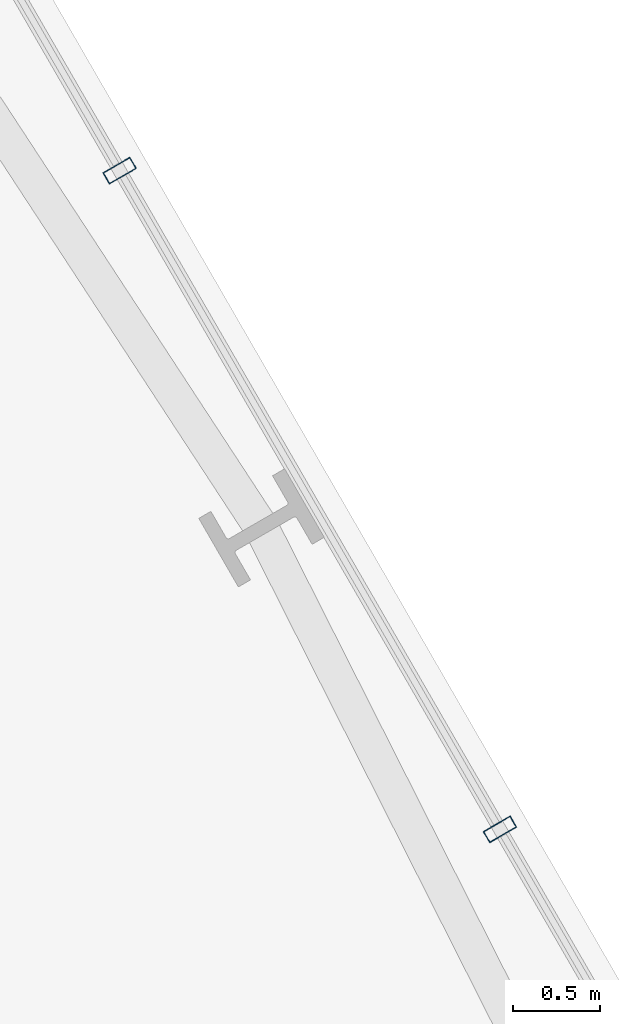
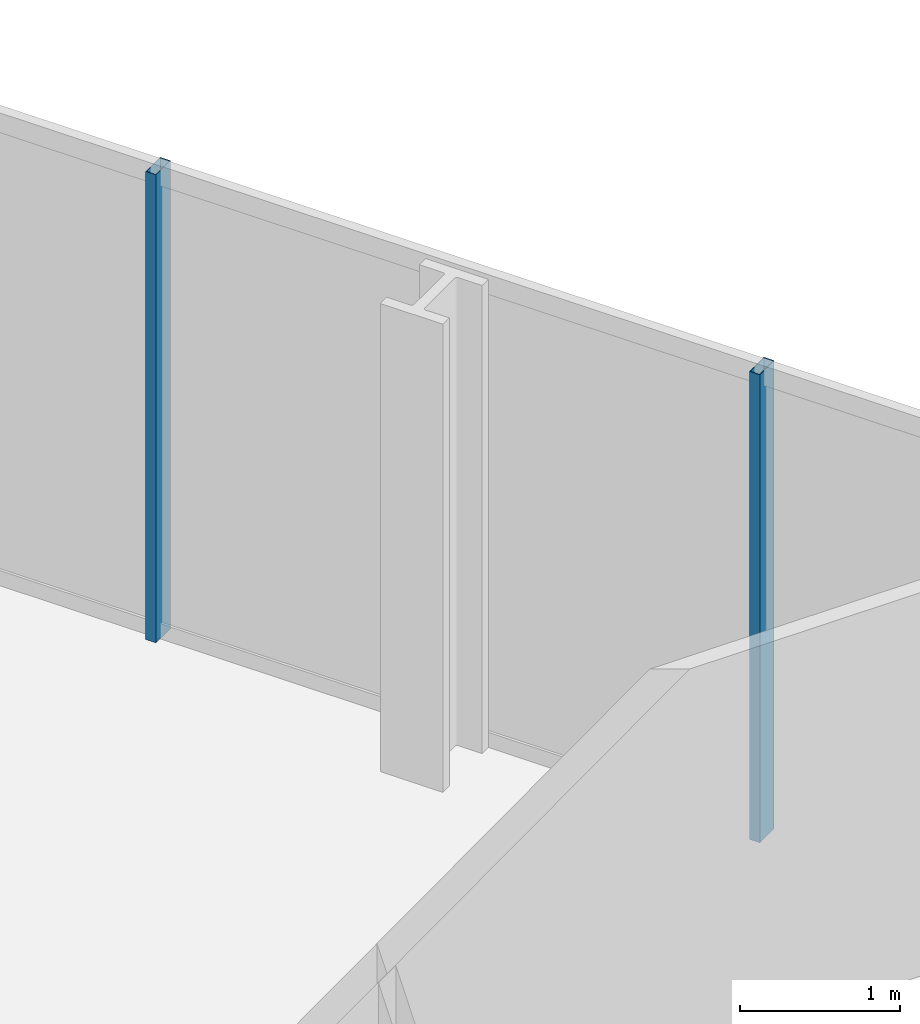
# One storey, part 19 of 33: 2 members, 1 element without a shape of its own.
"""IFC4 building model written with IfcOpenShell, lengths in metres."""

from ifc_helpers import new_model, si_unit, direction, frame, origin, origin_2d, place, context, subcontext, project, spatial, hollow_rectangle, extrude, material, layer, layer_set, material_profile, profile_set, type_object, element, aggregate, save


model = new_model("IFC4")

# Units and contexts
model_context = context("Model", 3, precision=1e-05, world=origin(), true_north=direction((0.0, 1.0)))
body_context = subcontext(model_context, "Body", "Model", "MODEL_VIEW")
ifc_project = project(units=[si_unit("LENGTHUNIT", "METRE"), si_unit("AREAUNIT", "SQUARE_METRE"), si_unit("VOLUMEUNIT", "CUBIC_METRE"), si_unit("PLANEANGLEUNIT", "RADIAN"), si_unit("MASSUNIT", "GRAM", prefix="KILO")], contexts=[model_context])

# Site, building, storey
site_placement = place(None, origin())
site = spatial("IfcSite", under=ifc_project, at=site_placement, CompositionType="ELEMENT")
building_placement = place(site_placement, origin())
building = spatial("IfcBuilding", under=site, at=building_placement, Name="Ndaravel Arena Tower", CompositionType="ELEMENT")
storey_placement = place(building_placement, frame((0.0, 0.0, 39.800048828125)))
storey = spatial("IfcBuildingStorey", under=building, at=storey_placement, Name="L07", CompositionType="ELEMENT", Elevation=39.800048828125)

# Curtain wall, members
ifc_material_1 = material(Name="Aluminium", Category="aluminium")
ifc_layer = layer(ifc_material_1, 0.179931640625)
ifc_layer_set = layer_set([ifc_layer], Name="Aluminium")
curtain_wall_type = type_object("IfcCurtainWallType", Name="CW-SYS-03", PredefinedType="NOTDEFINED", material=ifc_layer_set)
curtain_wall_placement = place(storey_placement, origin())
curtain_wall = element("IfcCurtainWall", 1, at=curtain_wall_placement, inside=storey, type_object=curtain_wall_type, Name="L07 Faceted Crystal Curtain Wall CW-L07-E03", PredefinedType="NOTDEFINED")
ifc_material_2 = material(Name="Aluminium", Category="aluminium")
ifc_material_profile = material_profile(ifc_material_2, hollow_rectangle(XDim=0.074951171875, YDim=0.179931640625, WallThickness=0.00390625, at=origin_2d()), Name="CW MULLION 75x180x4")
ifc_profile_set = profile_set([ifc_material_profile], Name="Aluminium")
member_type = type_object("IfcMemberType", Name="MEM-CW-MUL180", PredefinedType="MULLION", material=ifc_profile_set)
member_1_placement = place(storey_placement, frame((58.974853515625, 30.778564453125, 0.0), z_axis=(0.0, 0.0, 1.0), x_axis=(-0.5, 0.866025403784, 0.0)))
member_1 = element("IfcMember", 2, at=member_1_placement, type_object=member_type, Name="CW-L07-E03 Mullion 03", PredefinedType="MULLION", context=body_context, shape_type="SweptSolid", body=[
    extrude(hollow_rectangle(XDim=0.074951171875, YDim=0.179931640625, WallThickness=0.00390625, at=origin_2d()), origin(), (0.0, 0.0, 1.0), 3.579833984375),
])
member_2_placement = place(storey_placement, frame((56.791015625, 34.561279296875, 0.0), z_axis=(0.0, 0.0, 1.0), x_axis=(-0.5, 0.866025403784, 0.0)))
member_2 = element("IfcMember", 3, at=member_2_placement, type_object=member_type, Name="CW-L07-E03 Mullion 04", PredefinedType="MULLION", context=body_context, shape_type="SweptSolid", body=[
    extrude(hollow_rectangle(XDim=0.074951171875, YDim=0.179931640625, WallThickness=0.00390625, at=origin_2d()), origin(), (0.0, 0.0, 1.0), 3.579833984375),
])
aggregate(curtain_wall, [member_1, member_2])

save(model, "model.ifc")
